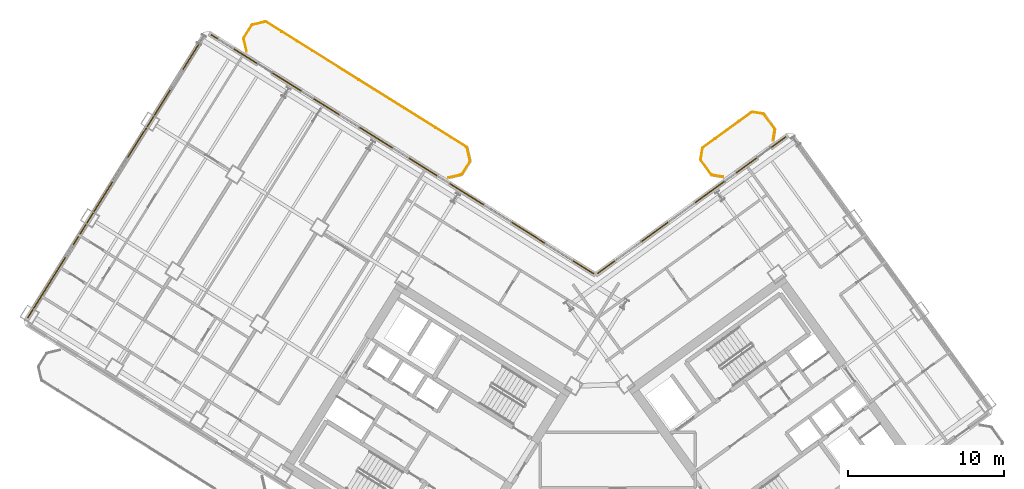
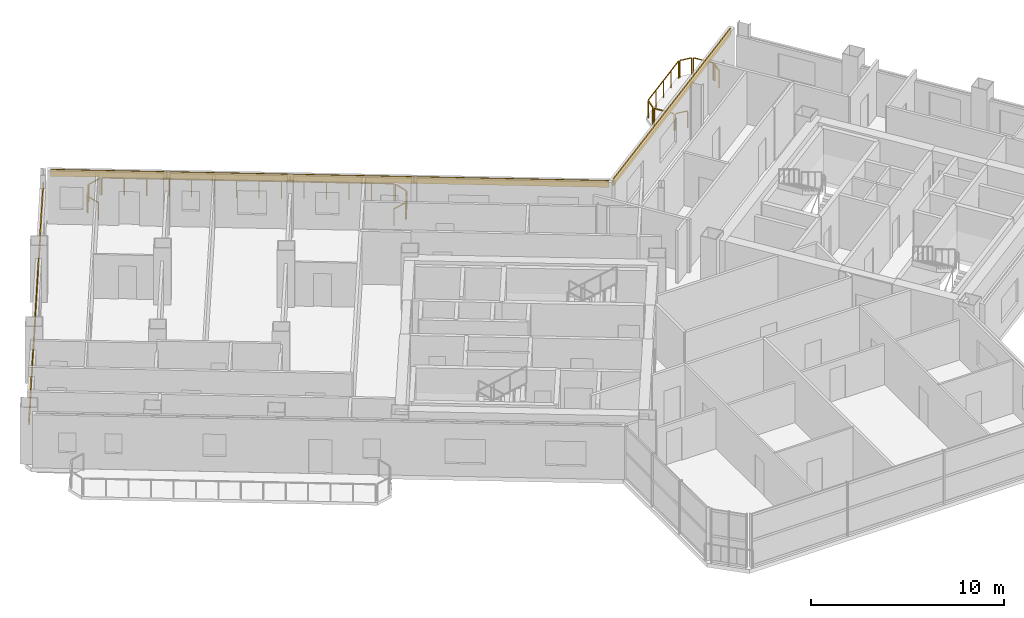
# One storey, part 21 of 21: 14 railings, 3 coverings.
"""IFC4 building model written with IfcOpenShell, lengths in metres."""

from ifc_helpers import new_model, si_unit, direction, frame, origin, origin_2d, place, context, subcontext, project, spatial, rectangle, extrude, source, transform, mapped, material, layer, layer_set, type_object, element, save


model = new_model("IFC4")

# Units and contexts
model_context = context("Model", 3, precision=1e-05, world=origin(), true_north=direction((0.0, 1.0)))
body_context = subcontext(model_context, "Body", "Model", "MODEL_VIEW")
ifc_project = project(units=[si_unit("LENGTHUNIT", "METRE"), si_unit("AREAUNIT", "SQUARE_METRE"), si_unit("VOLUMEUNIT", "CUBIC_METRE"), si_unit("PLANEANGLEUNIT", "RADIAN"), si_unit("MASSUNIT", "GRAM", prefix="KILO")], contexts=[model_context])

# Site, building, storey
site_placement = place(None, origin())
site = spatial("IfcSite", under=ifc_project, at=site_placement, CompositionType="ELEMENT")
building_placement = place(site_placement, origin())
building = spatial("IfcBuilding", under=site, at=building_placement, Name="Tlacorven Tower", CompositionType="ELEMENT")
storey_placement = place(building_placement, frame((0.0, 0.0, 105.300048828125)))
storey = spatial("IfcBuildingStorey", under=building, at=storey_placement, Name="L26", CompositionType="ELEMENT", Elevation=105.300048828125)

# Railings
ifc_material_1 = material(Name="Aluminium and painted steel balustrade", Category="steel")
railing_type = type_object("IfcRailingType", Name="RL-BAL-1100", PredefinedType="BALUSTRADE", material=ifc_material_1)
shared_shape_1 = source(origin(), body_context, "Body", "SweptSolid", [
    extrude(rectangle(XDim=0.048095703125, YDim=0.048095703125, at=origin_2d()), frame((0.0, 0.0, 1.076171875), z_axis=(0.974345290916, 0.225058334816, 0.0), x_axis=(-0.225058334816, 0.974345290916, 0.0)), (0.0, 0.0, 1.0), 0.80712890625),
    extrude(rectangle(XDim=0.0419921875, YDim=0.0419921875, at=origin_2d()), origin(), (0.0, 0.0, 1.0), 1.052001953125),
    extrude(rectangle(XDim=0.0419921875, YDim=0.0419921875, at=origin_2d()), frame((0.786376953125, 0.181640625, 0.0)), (0.0, 0.0, 1.0), 1.052001953125),
])
railing_1_placement = place(storey_placement, frame((20.2138671875, 47.643798828125, 0.0)))
element("IfcRailing", 1, at=railing_1_placement, inside=storey, type_object=railing_type, Name="BAL-L26-W-IN Guard Railing 6", PredefinedType="BALUSTRADE", context=body_context, shape_type="MappedRepresentation", body=[
    mapped(shared_shape_1, transform((0.0, 0.0, 0.0), scale=1.0)),
])
shared_shape_2 = source(origin(), body_context, "Body", "SweptSolid", [
    extrude(rectangle(XDim=0.048095703125, YDim=0.048095703125, at=origin_2d()), frame((0.0, 0.0, 1.076171875), z_axis=(-0.987661653326, 0.156602868908, 0.0), x_axis=(-0.156602868908, -0.987661653326, 0.0)), (0.0, 0.0, 1.0), 0.665771484375),
    extrude(rectangle(XDim=0.0419921875, YDim=0.0419921875, at=origin_2d()), origin(), (0.0, 0.0, 1.0), 1.052001953125),
    extrude(rectangle(XDim=0.0419921875, YDim=0.0419921875, at=origin_2d()), frame((-0.657470703125, 0.104248046875, 0.0)), (0.0, 0.0, 1.0), 1.052001953125),
])
railing_2_placement = place(storey_placement, frame((50.359130859375, 37.891845703125, 0.0)))
element("IfcRailing", 2, at=railing_2_placement, inside=storey, type_object=railing_type, Name="BAL-L26-E-IN Guard Railing 1", PredefinedType="BALUSTRADE", context=body_context, shape_type="MappedRepresentation", body=[
    mapped(shared_shape_2, transform((0.0, 0.0, 0.0), scale=1.0)),
])
shared_shape_3 = source(origin(), body_context, "Body", "SweptSolid", [
    extrude(rectangle(XDim=0.048095703125, YDim=0.048095703125, at=origin_2d()), frame((0.0, 0.0, 1.076171875), z_axis=(0.156602868908, 0.987661653326, 0.0), x_axis=(-0.987661653326, 0.156602868908, 0.0)), (0.0, 0.0, 1.0), 0.665771484375),
    extrude(rectangle(XDim=0.0419921875, YDim=0.0419921875, at=origin_2d()), origin(), (0.0, 0.0, 1.0), 1.052001953125),
    extrude(rectangle(XDim=0.0419921875, YDim=0.0419921875, at=origin_2d()), frame((0.104248046875, 0.657470703125, 0.0)), (0.0, 0.0, 1.0), 1.052001953125),
])
railing_3_placement = place(storey_placement, frame((48.947509765625, 39.033935546875, 0.0)))
element("IfcRailing", 3, at=railing_3_placement, inside=storey, type_object=railing_type, Name="BAL-L26-E-IN Guard Railing 3", PredefinedType="BALUSTRADE", context=body_context, shape_type="MappedRepresentation", body=[
    mapped(shared_shape_3, transform((0.0, 0.0, 0.0), scale=1.0)),
])
shared_shape_4 = source(origin(), body_context, "Body", "SweptSolid", [
    extrude(rectangle(XDim=0.048095703125, YDim=0.048095703125, at=origin_2d()), frame((0.0, 0.0, 1.076171875), z_axis=(-0.156245081039, -0.987718317463, 0.0), x_axis=(0.987718317463, -0.156245081039, 0.0)), (0.0, 0.0, 1.0), 0.66552734375),
    extrude(rectangle(XDim=0.0419921875, YDim=0.0419921875, at=origin_2d()), origin(), (0.0, 0.0, 1.0), 1.052001953125),
    extrude(rectangle(XDim=0.0419921875, YDim=0.0419921875, at=origin_2d()), frame((-0.10400390625, -0.657470703125, 0.0)), (0.0, 0.0, 1.0), 1.052001953125),
])
railing_4_placement = place(storey_placement, frame((53.689453125, 40.893310546875, 0.0)))
element("IfcRailing", 4, at=railing_4_placement, inside=storey, type_object=railing_type, Name="BAL-L26-E-IN Guard Railing 7", PredefinedType="BALUSTRADE", context=body_context, shape_type="MappedRepresentation", body=[
    mapped(shared_shape_4, transform((0.0, 0.0, 0.0), scale=1.0)),
])

# Covering
ifc_material_2 = material(Name="Precast concrete C45/55", Category="concrete")
ifc_layer = layer(ifc_material_2, 0.06005859375)
ifc_layer_set = layer_set([ifc_layer], Name="Precast concrete C45/55")
covering_type = type_object("IfcCoveringType", Name="CV-CLD-TERC", PredefinedType="CLADDING", material=ifc_layer_set)
shared_shape_5 = source(origin(), body_context, "Body", "SweptSolid", [
    extrude(rectangle(XDim=21.287353515625, YDim=0.06005859375, at=origin_2d()), origin(), (0.0, 0.0, 1.0), 0.419921875),
])
covering_1_placement = place(storey_placement, frame((11.419677734375, 37.864013671875, 2.35498046875), z_axis=(0.0, 0.0, 1.0), x_axis=(0.529919147866, 0.848048168871, 0.0)))
element("IfcCovering", 5, at=covering_1_placement, inside=storey, type_object=covering_type, Name="L26 Masonry-Frame Spandrel Cladding 2", PredefinedType="CLADDING", context=body_context, shape_type="MappedRepresentation", body=[
    mapped(shared_shape_5, transform((0.0, 0.0, 0.0), scale=1.0)),
])

# Railings
shared_shape_6 = source(origin(), body_context, "Body", "SweptSolid", [
    extrude(rectangle(XDim=0.048095703125, YDim=0.048095703125, at=origin_2d()), frame((0.0, 0.0, 1.076171875), z_axis=(0.529998940003, 0.847998304005, 0.0), x_axis=(-0.847998304005, 0.529998940003, 0.0)), (0.0, 0.0, 1.0), 0.912109375),
    extrude(rectangle(XDim=0.0419921875, YDim=0.0419921875, at=origin_2d()), origin(), (0.0, 0.0, 1.0), 1.052001953125),
    extrude(rectangle(XDim=0.0419921875, YDim=0.0419921875, at=origin_2d()), frame((0.4833984375, 0.7734375, 0.0)), (0.0, 0.0, 1.0), 1.052001953125),
])
railing_5_placement = place(storey_placement, frame((19.6552734375, 46.816650390625, 0.0)))
element("IfcRailing", 6, at=railing_5_placement, inside=storey, type_object=railing_type, Name="BAL-L26-W-IN Guard Railing 5", PredefinedType="BALUSTRADE", context=body_context, shape_type="MappedRepresentation", body=[
    mapped(shared_shape_6, transform((0.0, 0.0, 0.0), scale=1.0)),
])
shared_shape_7 = source(origin(), body_context, "Body", "SweptSolid", [
    extrude(rectangle(XDim=0.048095703125, YDim=0.048095703125, at=origin_2d()), frame((0.0, 0.0, 1.076171875), z_axis=(0.224992020761, -0.974360606036, 0.0), x_axis=(0.974360606036, 0.224992020761, 0.0)), (0.0, 0.0, 1.0), 0.807373046875),
    extrude(rectangle(XDim=0.0419921875, YDim=0.0419921875, at=origin_2d()), origin(), (0.0, 0.0, 1.0), 1.052001953125),
    extrude(rectangle(XDim=0.0419921875, YDim=0.0419921875, at=origin_2d()), frame((0.181640625, -0.78662109375, 0.0)), (0.0, 0.0, 1.0), 1.052001953125),
])
railing_6_placement = place(storey_placement, frame((33.965087890625, 39.72412109375, 0.0)))
element("IfcRailing", 7, at=railing_6_placement, inside=storey, type_object=railing_type, Name="BAL-L26-W-IN Guard Railing 1", PredefinedType="BALUSTRADE", context=body_context, shape_type="MappedRepresentation", body=[
    mapped(shared_shape_7, transform((0.0, 0.0, 0.0), scale=1.0)),
])
shared_shape_8 = source(origin(), body_context, "Body", "SweptSolid", [
    extrude(rectangle(XDim=0.048095703125, YDim=0.048095703125, at=origin_2d()), frame((0.0, 0.0, 1.076171875), z_axis=(-0.529998940003, -0.847998304005, 0.0), x_axis=(0.847998304005, -0.529998940003, 0.0)), (0.0, 0.0, 1.0), 0.912109375),
    extrude(rectangle(XDim=0.0419921875, YDim=0.0419921875, at=origin_2d()), origin(), (0.0, 0.0, 1.0), 1.052001953125),
    extrude(rectangle(XDim=0.0419921875, YDim=0.0419921875, at=origin_2d()), frame((-0.4833984375, -0.7734375, 0.0)), (0.0, 0.0, 1.0), 1.052001953125),
])
railing_7_placement = place(storey_placement, frame((34.131591796875, 38.846435546875, 0.0)))
element("IfcRailing", 8, at=railing_7_placement, inside=storey, type_object=railing_type, Name="BAL-L26-W-IN Guard Railing 2", PredefinedType="BALUSTRADE", context=body_context, shape_type="MappedRepresentation", body=[
    mapped(shared_shape_8, transform((0.0, 0.0, 0.0), scale=1.0)),
])
shared_shape_9 = source(origin(), body_context, "Body", "SweptSolid", [
    extrude(rectangle(XDim=0.048095703125, YDim=0.048095703125, at=origin_2d()), frame((0.0, 0.0, 1.076171875), z_axis=(-0.974360606036, -0.224992020761, 0.0), x_axis=(0.224992020761, -0.974360606036, 0.0)), (0.0, 0.0, 1.0), 0.807373046875),
    extrude(rectangle(XDim=0.0419921875, YDim=0.0419921875, at=origin_2d()), origin(), (0.0, 0.0, 1.0), 1.052001953125),
    extrude(rectangle(XDim=0.0419921875, YDim=0.0419921875, at=origin_2d()), frame((-0.78662109375, -0.181640625, 0.0)), (0.0, 0.0, 1.0), 1.052001953125),
])
railing_8_placement = place(storey_placement, frame((33.572998046875, 38.019287109375, 0.0)))
element("IfcRailing", 9, at=railing_8_placement, inside=storey, type_object=railing_type, Name="BAL-L26-W-IN Guard Railing 3", PredefinedType="BALUSTRADE", context=body_context, shape_type="MappedRepresentation", body=[
    mapped(shared_shape_9, transform((0.0, 0.0, 0.0), scale=1.0)),
])
shared_shape_10 = source(origin(), body_context, "Body", "SweptSolid", [
    extrude(rectangle(XDim=0.048095703125, YDim=0.048095703125, at=origin_2d()), frame((0.0, 0.0, 1.076171875), z_axis=(-0.22470489119, 0.974426863277, 0.0), x_axis=(-0.974426863277, -0.22470489119, 0.0)), (0.0, 0.0, 1.0), 0.807373046875),
    extrude(rectangle(XDim=0.0419921875, YDim=0.0419921875, at=origin_2d()), origin(), (0.0, 0.0, 1.0), 1.052001953125),
    extrude(rectangle(XDim=0.0419921875, YDim=0.0419921875, at=origin_2d()), frame((-0.181396484375, 0.78662109375, 0.0)), (0.0, 0.0, 1.0), 1.052001953125),
])
railing_9_placement = place(storey_placement, frame((19.821533203125, 45.93896484375, 0.0)))
element("IfcRailing", 10, at=railing_9_placement, inside=storey, type_object=railing_type, Name="BAL-L26-W-IN Guard Railing 4", PredefinedType="BALUSTRADE", context=body_context, shape_type="MappedRepresentation", body=[
    mapped(shared_shape_10, transform((0.0, 0.0, 0.0), scale=1.0)),
])
shared_shape_11 = source(origin(), body_context, "Body", "SweptSolid", [
    extrude(rectangle(XDim=0.048095703125, YDim=0.048095703125, at=origin_2d()), frame((0.0, 0.0, 1.076171875), z_axis=(0.848051830527, -0.529913287944, 0.0), x_axis=(0.529913287944, 0.848051830527, 0.0)), (0.0, 0.0, 1.0), 15.1171875),
    extrude(rectangle(XDim=0.0419921875, YDim=0.0419921875, at=origin_2d()), origin(), (0.0, 0.0, 1.0), 1.052001953125),
    extrude(rectangle(XDim=0.0419921875, YDim=0.0419921875, at=origin_2d()), frame((0.986083984375, -0.6162109375, 0.0)), (0.0, 0.0, 1.0), 1.052001953125),
    extrude(rectangle(XDim=0.0419921875, YDim=0.0419921875, at=origin_2d()), frame((1.972412109375, -1.232421875, 0.0)), (0.0, 0.0, 1.0), 1.052001953125),
    extrude(rectangle(XDim=0.0419921875, YDim=0.0419921875, at=origin_2d()), frame((2.95849609375, -1.8486328125, 0.0)), (0.0, 0.0, 1.0), 1.052001953125),
    extrude(rectangle(XDim=0.0419921875, YDim=0.0419921875, at=origin_2d()), frame((3.944580078125, -2.46484375, 0.0)), (0.0, 0.0, 1.0), 1.052001953125),
    extrude(rectangle(XDim=0.0419921875, YDim=0.0419921875, at=origin_2d()), frame((4.930908203125, -3.0810546875, 0.0)), (0.0, 0.0, 1.0), 1.052001953125),
    extrude(rectangle(XDim=0.0419921875, YDim=0.0419921875, at=origin_2d()), frame((5.9169921875, -3.697265625, 0.0)), (0.0, 0.0, 1.0), 1.052001953125),
    extrude(rectangle(XDim=0.0419921875, YDim=0.0419921875, at=origin_2d()), frame((6.903076171875, -4.3134765625, 0.0)), (0.0, 0.0, 1.0), 1.052001953125),
    extrude(rectangle(XDim=0.0419921875, YDim=0.0419921875, at=origin_2d()), frame((7.88916015625, -4.9296875, 0.0)), (0.0, 0.0, 1.0), 1.052001953125),
    extrude(rectangle(XDim=0.0419921875, YDim=0.0419921875, at=origin_2d()), frame((8.87548828125, -5.5458984375, 0.0)), (0.0, 0.0, 1.0), 1.052001953125),
    extrude(rectangle(XDim=0.0419921875, YDim=0.0419921875, at=origin_2d()), frame((9.861572265625, -6.162109375, 0.0)), (0.0, 0.0, 1.0), 1.052001953125),
    extrude(rectangle(XDim=0.0419921875, YDim=0.0419921875, at=origin_2d()), frame((10.84765625, -6.7783203125, 0.0)), (0.0, 0.0, 1.0), 1.052001953125),
    extrude(rectangle(XDim=0.0419921875, YDim=0.0419921875, at=origin_2d()), frame((11.833984375, -7.39453125, 0.0)), (0.0, 0.0, 1.0), 1.052001953125),
    extrude(rectangle(XDim=0.0419921875, YDim=0.0419921875, at=origin_2d()), frame((12.820068359375, -8.0107421875, 0.0)), (0.0, 0.0, 1.0), 1.052001953125),
])
railing_10_placement = place(storey_placement, frame((21.091552734375, 47.81005859375, 0.0)))
element("IfcRailing", 11, at=railing_10_placement, inside=storey, type_object=railing_type, Name="BAL-L26-W-IN Guard Railing 7", PredefinedType="BALUSTRADE", context=body_context, shape_type="MappedRepresentation", body=[
    mapped(shared_shape_11, transform((0.0, 0.0, 0.0), scale=1.0)),
])
shared_shape_12 = source(origin(), body_context, "Body", "SweptSolid", [
    extrude(rectangle(XDim=0.048095703125, YDim=0.048095703125, at=origin_2d()), frame((0.0, 0.0, 1.076171875), z_axis=(-0.587636431696, 0.809125097957, 0.0), x_axis=(-0.809125097957, -0.587636431696, 0.0)), (0.0, 0.0, 1.0), 1.1123046875),
    extrude(rectangle(XDim=0.0419921875, YDim=0.0419921875, at=origin_2d()), origin(), (0.0, 0.0, 1.0), 1.052001953125),
    extrude(rectangle(XDim=0.0419921875, YDim=0.0419921875, at=origin_2d()), frame((-0.653564453125, 0.89990234375, 0.0)), (0.0, 0.0, 1.0), 1.052001953125),
])
railing_11_placement = place(storey_placement, frame((49.622802734375, 38.044189453125, 0.0)))
element("IfcRailing", 12, at=railing_11_placement, inside=storey, type_object=railing_type, Name="BAL-L26-E-IN Guard Railing 2", PredefinedType="BALUSTRADE", context=body_context, shape_type="MappedRepresentation", body=[
    mapped(shared_shape_12, transform((0.0, 0.0, 0.0), scale=1.0)),
])
shared_shape_13 = source(origin(), body_context, "Body", "SweptSolid", [
    extrude(rectangle(XDim=0.048095703125, YDim=0.048095703125, at=origin_2d()), frame((0.0, 0.0, 1.076171875), z_axis=(0.809018102573, 0.587783726986, 0.0), x_axis=(-0.587783726986, 0.809018102573, 0.0)), (0.0, 0.0, 1.0), 3.817138671875),
    extrude(rectangle(XDim=0.0419921875, YDim=0.0419921875, at=origin_2d()), origin(), (0.0, 0.0, 1.0), 1.052001953125),
    extrude(rectangle(XDim=0.0419921875, YDim=0.0419921875, at=origin_2d()), frame((0.77197265625, 0.56103515625, 0.0)), (0.0, 0.0, 1.0), 1.052001953125),
    extrude(rectangle(XDim=0.0419921875, YDim=0.0419921875, at=origin_2d()), frame((1.5439453125, 1.121826171875, 0.0)), (0.0, 0.0, 1.0), 1.052001953125),
    extrude(rectangle(XDim=0.0419921875, YDim=0.0419921875, at=origin_2d()), frame((2.316162109375, 1.6826171875, 0.0)), (0.0, 0.0, 1.0), 1.052001953125),
    extrude(rectangle(XDim=0.0419921875, YDim=0.0419921875, at=origin_2d()), frame((3.088134765625, 2.24365234375, 0.0)), (0.0, 0.0, 1.0), 1.052001953125),
])
railing_12_placement = place(storey_placement, frame((49.10009765625, 39.77001953125, 0.0)))
element("IfcRailing", 13, at=railing_12_placement, inside=storey, type_object=railing_type, Name="BAL-L26-E-IN Guard Railing 4", PredefinedType="BALUSTRADE", context=body_context, shape_type="MappedRepresentation", body=[
    mapped(shared_shape_13, transform((0.0, 0.0, 0.0), scale=1.0)),
])
shared_shape_14 = source(origin(), body_context, "Body", "SweptSolid", [
    extrude(rectangle(XDim=0.048095703125, YDim=0.048095703125, at=origin_2d()), frame((0.0, 0.0, 1.076171875), z_axis=(0.987661653326, -0.156602868908, 0.0), x_axis=(0.156602868908, 0.987661653326, 0.0)), (0.0, 0.0, 1.0), 0.665771484375),
    extrude(rectangle(XDim=0.0419921875, YDim=0.0419921875, at=origin_2d()), origin(), (0.0, 0.0, 1.0), 1.052001953125),
    extrude(rectangle(XDim=0.0419921875, YDim=0.0419921875, at=origin_2d()), frame((0.657470703125, -0.104248046875, 0.0)), (0.0, 0.0, 1.0), 1.052001953125),
])
railing_13_placement = place(storey_placement, frame((52.278076171875, 42.035400390625, 0.0)))
element("IfcRailing", 14, at=railing_13_placement, inside=storey, type_object=railing_type, Name="BAL-L26-E-IN Guard Railing 5", PredefinedType="BALUSTRADE", context=body_context, shape_type="MappedRepresentation", body=[
    mapped(shared_shape_14, transform((0.0, 0.0, 0.0), scale=1.0)),
])
shared_shape_15 = source(origin(), body_context, "Body", "SweptSolid", [
    extrude(rectangle(XDim=0.048095703125, YDim=0.048095703125, at=origin_2d()), frame((0.0, 0.0, 1.076171875), z_axis=(0.587780115446, -0.809020726488, 0.0), x_axis=(0.809020726488, 0.587780115446, 0.0)), (0.0, 0.0, 1.0), 1.1123046875),
    extrude(rectangle(XDim=0.0419921875, YDim=0.0419921875, at=origin_2d()), origin(), (0.0, 0.0, 1.0), 1.052001953125),
    extrude(rectangle(XDim=0.0419921875, YDim=0.0419921875, at=origin_2d()), frame((0.65380859375, -0.89990234375, 0.0)), (0.0, 0.0, 1.0), 1.052001953125),
])
railing_14_placement = place(storey_placement, frame((53.01416015625, 41.883056640625, 0.0)))
element("IfcRailing", 15, at=railing_14_placement, inside=storey, type_object=railing_type, Name="BAL-L26-E-IN Guard Railing 6", PredefinedType="BALUSTRADE", context=body_context, shape_type="MappedRepresentation", body=[
    mapped(shared_shape_15, transform((0.0, 0.0, 0.0), scale=1.0)),
])

# Coverings
shared_shape_16 = source(origin(), body_context, "Body", "SweptSolid", [
    extrude(rectangle(XDim=28.923095703125, YDim=0.06005859375, at=origin_2d()), origin(), (0.0, 0.0, 1.0), 0.419921875),
])
covering_2_placement = place(storey_placement, frame((29.815185546875, 39.34033203125, 2.929931640625), z_axis=(0.0, 0.0, 1.0), x_axis=(0.848048220257, -0.52991906563, 0.0)))
element("IfcCovering", 16, at=covering_2_placement, inside=storey, type_object=covering_type, Name="L26 Masonry-Frame Spandrel Cladding 3", PredefinedType="CLADDING", context=body_context, shape_type="MappedRepresentation", body=[
    mapped(shared_shape_16, transform((0.0, 0.0, 0.0), scale=1.0)),
])
shared_shape_17 = source(origin(), body_context, "Body", "SweptSolid", [
    extrude(rectangle(XDim=14.923095703125, YDim=0.06005859375, at=origin_2d()), origin(), (0.0, 0.0, 1.0), 0.419921875),
])
covering_3_placement = place(storey_placement, frame((48.3642578125, 36.0712890625, 2.929931640625), z_axis=(0.0, 0.0, 1.0), x_axis=(0.809016703631, 0.587785652468, 0.0)))
element("IfcCovering", 17, at=covering_3_placement, inside=storey, type_object=covering_type, Name="L26 Masonry-Frame Spandrel Cladding 4", PredefinedType="CLADDING", context=body_context, shape_type="MappedRepresentation", body=[
    mapped(shared_shape_17, transform((0.0, 0.0, 0.0), scale=1.0)),
])

save(model, "model.ifc")
